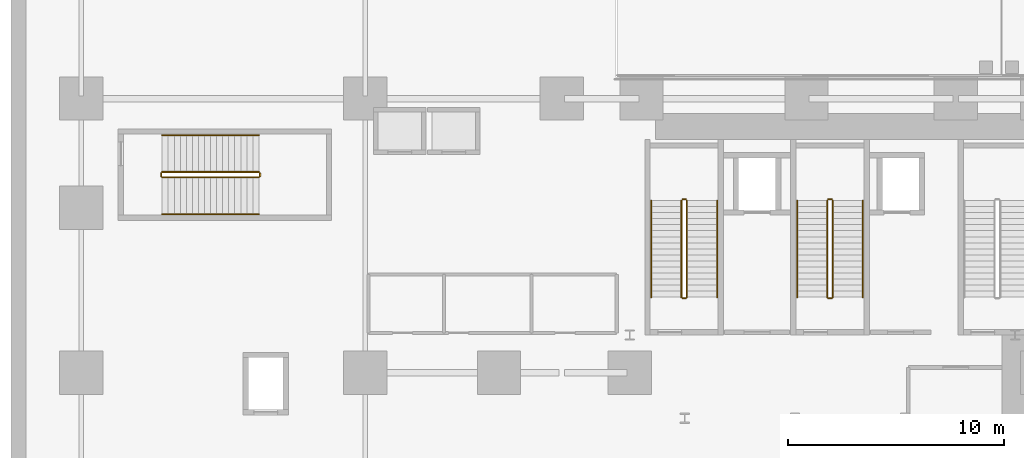
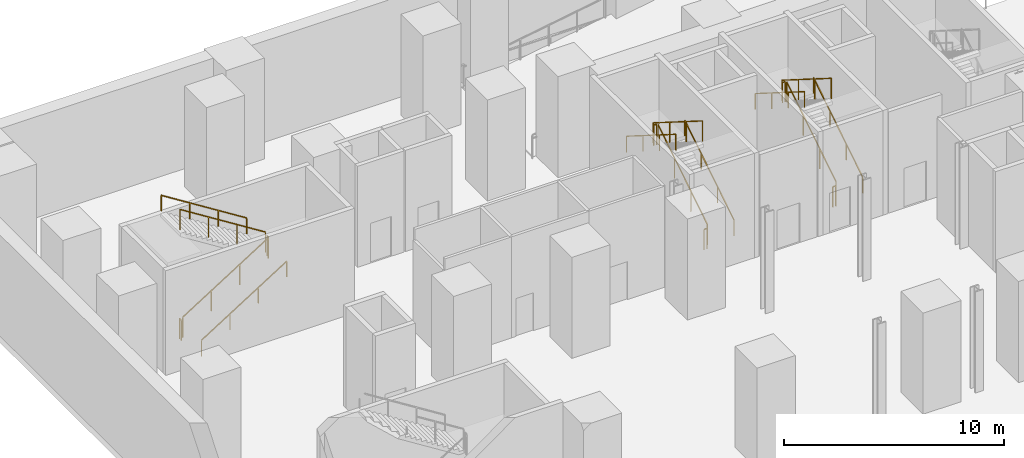
# One storey, part 10 of 16: 18 railings.
"""IFC4 building model written with IfcOpenShell, lengths in metres."""

from ifc_helpers import new_model, si_unit, direction, frame, origin, origin_2d, place, context, subcontext, project, spatial, rectangle, extrude, source, transform, mapped, material, type_object, element, save


model = new_model("IFC4")

# Units and contexts
model_context = context("Model", 3, precision=1e-05, world=origin(), true_north=direction((0.0, 1.0)))
body_context = subcontext(model_context, "Body", "Model", "MODEL_VIEW")
ifc_project = project(units=[si_unit("LENGTHUNIT", "METRE"), si_unit("AREAUNIT", "SQUARE_METRE"), si_unit("VOLUMEUNIT", "CUBIC_METRE"), si_unit("PLANEANGLEUNIT", "RADIAN"), si_unit("MASSUNIT", "GRAM", prefix="KILO")], contexts=[model_context])

# Site, building, storey
site_placement = place(None, origin())
site = spatial("IfcSite", under=ifc_project, at=site_placement, CompositionType="ELEMENT")
building_placement = place(site_placement, origin())
building = spatial("IfcBuilding", under=site, at=building_placement, Name="Vardaveli Station Tower", CompositionType="ELEMENT")
storey_placement = place(building_placement, frame((0.0, 0.0, -6.0)))
storey = spatial("IfcBuildingStorey", under=building, at=storey_placement, Name="B01", CompositionType="ELEMENT", Elevation=-6.0)

# Railings
ifc_material = material(Name="Brushed AISI 316 stainless steel", Category="steel")
railing_type_1 = type_object("IfcRailingType", Name="RL-GUARD-1150", PredefinedType="GUARDRAIL", material=ifc_material)
shared_shape_1 = source(origin(), body_context, "Body", "SweptSolid", [
    extrude(rectangle(XDim=0.048095703125, YDim=0.048095703125, at=origin_2d()), frame((0.0, 0.0, 1.1259765625), z_axis=(-1.0, 0.0, 0.0), x_axis=(0.0, -1.0, 0.0)), (0.0, 0.0, 1.0), 0.14990234375),
    extrude(rectangle(XDim=0.0419921875, YDim=0.0419921875, at=origin_2d()), origin(), (0.0, 0.0, 1.0), 1.101806640625),
    extrude(rectangle(XDim=0.0419921875, YDim=0.0419921875, at=origin_2d()), frame((-0.14990234375, 0.0, 0.0)), (0.0, 0.0, 1.0), 1.101806640625),
])
for number, where, name in (
    (1, (31.25, 36.929931640625, 3.0), "B01 ST-1 stair guard 2"),
    (2, (31.25, 32.35009765625, 0.0), "B01 ST-1 stair guard 4"),
    (3, (38.0, 36.929931640625, 3.0), "B01 ST-2 stair guard 2"),
    (4, (38.0, 32.35009765625, 0.0), "B01 ST-2 stair guard 4"),
):
    element("IfcRailing", number, at=place(storey_placement, frame(where)), inside=storey, type_object=railing_type_1, Name=name, PredefinedType="GUARDRAIL", context=body_context, shape_type="MappedRepresentation", body=[
        mapped(shared_shape_1, transform((0.0, 0.0, 0.0), scale=1.0)),
    ])
shared_shape_2 = source(origin(), body_context, "Body", "SweptSolid", [
    extrude(rectangle(XDim=0.048095703125, YDim=0.048095703125, at=origin_2d()), frame((0.0, 0.0, 1.1259765625), z_axis=(0.0, 0.845997938375, 0.533186166611), x_axis=(-1.0, 0.0, 0.0)), (0.0, 0.0, 1.0), 5.29541015625),
    extrude(rectangle(XDim=0.0419921875, YDim=0.0419921875, at=origin_2d()), origin(), (0.0, 0.0, 1.0), 1.101806640625),
    extrude(rectangle(XDim=0.0419921875, YDim=0.0419921875, at=origin_2d()), frame((0.0, 1.493408203125, 0.941162109375)), (0.0, 0.0, 1.0), 1.101806640625),
    extrude(rectangle(XDim=0.0419921875, YDim=0.0419921875, at=origin_2d()), frame((0.0, 2.986572265625, 1.88232421875)), (0.0, 0.0, 1.0), 1.101806640625),
    extrude(rectangle(XDim=0.0419921875, YDim=0.0419921875, at=origin_2d()), frame((0.0, 4.47998046875, 2.823486328125)), (0.0, 0.0, 1.0), 1.101806640625),
])
for number, where, name in (
    (5, (31.300048828125, 32.39990234375, 0.176513671875), "B01 ST-1 stair guard 1"),
    (6, (38.050048828125, 32.39990234375, 0.176513671875), "B01 ST-2 stair guard 1"),
):
    element("IfcRailing", number, at=place(storey_placement, frame(where)), inside=storey, type_object=railing_type_1, Name=name, PredefinedType="GUARDRAIL", context=body_context, shape_type="MappedRepresentation", body=[
        mapped(shared_shape_2, transform((0.0, 0.0, 0.0), scale=1.0)),
    ])
shared_shape_3 = source(origin(), body_context, "Body", "SweptSolid", [
    extrude(rectangle(XDim=0.048095703125, YDim=0.048095703125, at=origin_2d()), frame((0.0, 0.0, 1.1259765625), z_axis=(0.0, -0.845997938375, 0.533186166611), x_axis=(1.0, 0.0, 0.0)), (0.0, 0.0, 1.0), 5.29541015625),
    extrude(rectangle(XDim=0.0419921875, YDim=0.0419921875, at=origin_2d()), origin(), (0.0, 0.0, 1.0), 1.101806640625),
    extrude(rectangle(XDim=0.0419921875, YDim=0.0419921875, at=origin_2d()), frame((0.0, -1.493408203125, 0.941162109375)), (0.0, 0.0, 1.0), 1.101806640625),
    extrude(rectangle(XDim=0.0419921875, YDim=0.0419921875, at=origin_2d()), frame((0.0, -2.986572265625, 1.88232421875)), (0.0, 0.0, 1.0), 1.101806640625),
    extrude(rectangle(XDim=0.0419921875, YDim=0.0419921875, at=origin_2d()), frame((0.0, -4.47998046875, 2.823486328125)), (0.0, 0.0, 1.0), 1.101806640625),
])
for number, where, name in (
    (7, (31.050048828125, 36.8798828125, 3.176513671875), "B01 ST-1 stair guard 3"),
    (8, (37.800048828125, 36.8798828125, 3.176513671875), "B01 ST-2 stair guard 3"),
):
    element("IfcRailing", number, at=place(storey_placement, frame(where)), inside=storey, type_object=railing_type_1, Name=name, PredefinedType="GUARDRAIL", context=body_context, shape_type="MappedRepresentation", body=[
        mapped(shared_shape_3, transform((0.0, 0.0, 0.0), scale=1.0)),
    ])
railing_type_2 = type_object("IfcRailingType", Name="RL-HAND-900", PredefinedType="HANDRAIL", material=ifc_material)
shared_shape_4 = source(origin(), body_context, "Body", "SweptSolid", [
    extrude(rectangle(XDim=0.048095703125, YDim=0.048095703125, at=origin_2d()), frame((0.0, 0.0, 0.8759765625), z_axis=(0.0, 0.845997938375, 0.533186166611), x_axis=(-1.0, 0.0, 0.0)), (0.0, 0.0, 1.0), 5.29541015625),
    extrude(rectangle(XDim=0.0419921875, YDim=0.0419921875, at=origin_2d()), origin(), (0.0, 0.0, 1.0), 0.851806640625),
    extrude(rectangle(XDim=0.0419921875, YDim=0.0419921875, at=origin_2d()), frame((0.0, 1.493408203125, 0.941162109375)), (0.0, 0.0, 1.0), 0.851806640625),
    extrude(rectangle(XDim=0.0419921875, YDim=0.0419921875, at=origin_2d()), frame((0.0, 2.986572265625, 1.88232421875)), (0.0, 0.0, 1.0), 0.851806640625),
    extrude(rectangle(XDim=0.0419921875, YDim=0.0419921875, at=origin_2d()), frame((0.0, 4.47998046875, 2.823486328125)), (0.0, 0.0, 1.0), 0.851806640625),
])
for number, where, name in (
    (9, (32.699951171875, 32.39990234375, 0.176513671875), "B01 ST-1 stair handrail 1"),
    (10, (39.449951171875, 32.39990234375, 0.176513671875), "B01 ST-2 stair handrail 1"),
):
    element("IfcRailing", number, at=place(storey_placement, frame(where)), inside=storey, type_object=railing_type_2, Name=name, PredefinedType="HANDRAIL", context=body_context, shape_type="MappedRepresentation", body=[
        mapped(shared_shape_4, transform((0.0, 0.0, 0.0), scale=1.0)),
    ])
shared_shape_5 = source(origin(), body_context, "Body", "SweptSolid", [
    extrude(rectangle(XDim=0.048095703125, YDim=0.048095703125, at=origin_2d()), frame((0.0, 0.0, 0.8759765625), z_axis=(0.0, -0.845997938375, 0.533186166611), x_axis=(1.0, 0.0, 0.0)), (0.0, 0.0, 1.0), 5.29541015625),
    extrude(rectangle(XDim=0.0419921875, YDim=0.0419921875, at=origin_2d()), origin(), (0.0, 0.0, 1.0), 0.851806640625),
    extrude(rectangle(XDim=0.0419921875, YDim=0.0419921875, at=origin_2d()), frame((0.0, -1.493408203125, 0.941162109375)), (0.0, 0.0, 1.0), 0.851806640625),
    extrude(rectangle(XDim=0.0419921875, YDim=0.0419921875, at=origin_2d()), frame((0.0, -2.986572265625, 1.88232421875)), (0.0, 0.0, 1.0), 0.851806640625),
    extrude(rectangle(XDim=0.0419921875, YDim=0.0419921875, at=origin_2d()), frame((0.0, -4.47998046875, 2.823486328125)), (0.0, 0.0, 1.0), 0.851806640625),
])
for number, where, name in (
    (11, (29.64990234375, 36.8798828125, 3.176513671875), "B01 ST-1 stair handrail 2"),
    (12, (36.39990234375, 36.8798828125, 3.176513671875), "B01 ST-2 stair handrail 2"),
):
    element("IfcRailing", number, at=place(storey_placement, frame(where)), inside=storey, type_object=railing_type_2, Name=name, PredefinedType="HANDRAIL", context=body_context, shape_type="MappedRepresentation", body=[
        mapped(shared_shape_5, transform((0.0, 0.0, 0.0), scale=1.0)),
    ])
shared_shape_6 = source(origin(), body_context, "Body", "SweptSolid", [
    extrude(rectangle(XDim=0.048095703125, YDim=0.048095703125, at=origin_2d()), frame((0.0, 0.0, 1.1259765625), z_axis=(0.0, 1.0, 0.0), x_axis=(-1.0, 0.0, 0.0)), (0.0, 0.0, 1.0), 0.14990234375),
    extrude(rectangle(XDim=0.0419921875, YDim=0.0419921875, at=origin_2d()), origin(), (0.0, 0.0, 1.0), 1.101806640625),
    extrude(rectangle(XDim=0.0419921875, YDim=0.0419921875, at=origin_2d()), frame((0.0, 0.14990234375, 0.0)), (0.0, 0.0, 1.0), 1.101806640625),
])
for number, where, name in (
    (13, (11.530029296875, 38.0, 3.0), "B01 ST-P1 stair guard 2"),
    (14, (6.949951171875, 38.0, 0.0), "B01 ST-P1 stair guard 4"),
):
    element("IfcRailing", number, at=place(storey_placement, frame(where)), inside=storey, type_object=railing_type_1, Name=name, PredefinedType="GUARDRAIL", context=body_context, shape_type="MappedRepresentation", body=[
        mapped(shared_shape_6, transform((0.0, 0.0, 0.0), scale=1.0)),
    ])
shared_shape_7 = source(origin(), body_context, "Body", "SweptSolid", [
    extrude(rectangle(XDim=0.048095703125, YDim=0.048095703125, at=origin_2d()), frame((0.0, 0.0, 1.1259765625), z_axis=(0.845997938375, 0.0, 0.533186166611), x_axis=(0.0, 1.0, 0.0)), (0.0, 0.0, 1.0), 5.29541015625),
    extrude(rectangle(XDim=0.0419921875, YDim=0.0419921875, at=origin_2d()), origin(), (0.0, 0.0, 1.0), 1.101806640625),
    extrude(rectangle(XDim=0.0419921875, YDim=0.0419921875, at=origin_2d()), frame((1.493408203125, 0.0, 0.941162109375)), (0.0, 0.0, 1.0), 1.101806640625),
    extrude(rectangle(XDim=0.0419921875, YDim=0.0419921875, at=origin_2d()), frame((2.986572265625, 0.0, 1.88232421875)), (0.0, 0.0, 1.0), 1.101806640625),
    extrude(rectangle(XDim=0.0419921875, YDim=0.0419921875, at=origin_2d()), frame((4.47998046875, 0.0, 2.823486328125)), (0.0, 0.0, 1.0), 1.101806640625),
])
railing_1_placement = place(storey_placement, frame((7.0, 37.949951171875, 0.176513671875)))
element("IfcRailing", 15, at=railing_1_placement, inside=storey, type_object=railing_type_1, Name="B01 ST-P1 stair guard 1", PredefinedType="GUARDRAIL", context=body_context, shape_type="MappedRepresentation", body=[
    mapped(shared_shape_7, transform((0.0, 0.0, 0.0), scale=1.0)),
])
shared_shape_8 = source(origin(), body_context, "Body", "SweptSolid", [
    extrude(rectangle(XDim=0.048095703125, YDim=0.048095703125, at=origin_2d()), frame((0.0, 0.0, 1.1259765625), z_axis=(-0.845997938375, 0.0, 0.533186166611), x_axis=(0.0, -1.0, 0.0)), (0.0, 0.0, 1.0), 5.29541015625),
    extrude(rectangle(XDim=0.0419921875, YDim=0.0419921875, at=origin_2d()), origin(), (0.0, 0.0, 1.0), 1.101806640625),
    extrude(rectangle(XDim=0.0419921875, YDim=0.0419921875, at=origin_2d()), frame((-1.493408203125, 0.0, 0.941162109375)), (0.0, 0.0, 1.0), 1.101806640625),
    extrude(rectangle(XDim=0.0419921875, YDim=0.0419921875, at=origin_2d()), frame((-2.986572265625, 0.0, 1.88232421875)), (0.0, 0.0, 1.0), 1.101806640625),
    extrude(rectangle(XDim=0.0419921875, YDim=0.0419921875, at=origin_2d()), frame((-4.47998046875, 0.0, 2.823486328125)), (0.0, 0.0, 1.0), 1.101806640625),
])
railing_2_placement = place(storey_placement, frame((11.47998046875, 38.199951171875, 3.176513671875)))
element("IfcRailing", 16, at=railing_2_placement, inside=storey, type_object=railing_type_1, Name="B01 ST-P1 stair guard 3", PredefinedType="GUARDRAIL", context=body_context, shape_type="MappedRepresentation", body=[
    mapped(shared_shape_8, transform((0.0, 0.0, 0.0), scale=1.0)),
])
shared_shape_9 = source(origin(), body_context, "Body", "SweptSolid", [
    extrude(rectangle(XDim=0.048095703125, YDim=0.048095703125, at=origin_2d()), frame((0.0, 0.0, 0.8759765625), z_axis=(0.845997938375, 0.0, 0.533186166611), x_axis=(0.0, 1.0, 0.0)), (0.0, 0.0, 1.0), 5.29541015625),
    extrude(rectangle(XDim=0.0419921875, YDim=0.0419921875, at=origin_2d()), origin(), (0.0, 0.0, 1.0), 0.851806640625),
    extrude(rectangle(XDim=0.0419921875, YDim=0.0419921875, at=origin_2d()), frame((1.493408203125, 0.0, 0.941162109375)), (0.0, 0.0, 1.0), 0.851806640625),
    extrude(rectangle(XDim=0.0419921875, YDim=0.0419921875, at=origin_2d()), frame((2.986572265625, 0.0, 1.88232421875)), (0.0, 0.0, 1.0), 0.851806640625),
    extrude(rectangle(XDim=0.0419921875, YDim=0.0419921875, at=origin_2d()), frame((4.47998046875, 0.0, 2.823486328125)), (0.0, 0.0, 1.0), 0.851806640625),
])
railing_3_placement = place(storey_placement, frame((7.0, 36.25, 0.176513671875)))
element("IfcRailing", 17, at=railing_3_placement, inside=storey, type_object=railing_type_2, Name="B01 ST-P1 stair handrail 1", PredefinedType="HANDRAIL", context=body_context, shape_type="MappedRepresentation", body=[
    mapped(shared_shape_9, transform((0.0, 0.0, 0.0), scale=1.0)),
])
shared_shape_10 = source(origin(), body_context, "Body", "SweptSolid", [
    extrude(rectangle(XDim=0.048095703125, YDim=0.048095703125, at=origin_2d()), frame((0.0, 0.0, 0.8759765625), z_axis=(-0.845997938375, 0.0, 0.533186166611), x_axis=(0.0, -1.0, 0.0)), (0.0, 0.0, 1.0), 5.29541015625),
    extrude(rectangle(XDim=0.0419921875, YDim=0.0419921875, at=origin_2d()), origin(), (0.0, 0.0, 1.0), 0.851806640625),
    extrude(rectangle(XDim=0.0419921875, YDim=0.0419921875, at=origin_2d()), frame((-1.493408203125, 0.0, 0.941162109375)), (0.0, 0.0, 1.0), 0.851806640625),
    extrude(rectangle(XDim=0.0419921875, YDim=0.0419921875, at=origin_2d()), frame((-2.986572265625, 0.0, 1.88232421875)), (0.0, 0.0, 1.0), 0.851806640625),
    extrude(rectangle(XDim=0.0419921875, YDim=0.0419921875, at=origin_2d()), frame((-4.47998046875, 0.0, 2.823486328125)), (0.0, 0.0, 1.0), 0.851806640625),
])
railing_4_placement = place(storey_placement, frame((11.47998046875, 39.89990234375, 3.176513671875)))
element("IfcRailing", 18, at=railing_4_placement, inside=storey, type_object=railing_type_2, Name="B01 ST-P1 stair handrail 2", PredefinedType="HANDRAIL", context=body_context, shape_type="MappedRepresentation", body=[
    mapped(shared_shape_10, transform((0.0, 0.0, 0.0), scale=1.0)),
])

save(model, "model.ifc")
